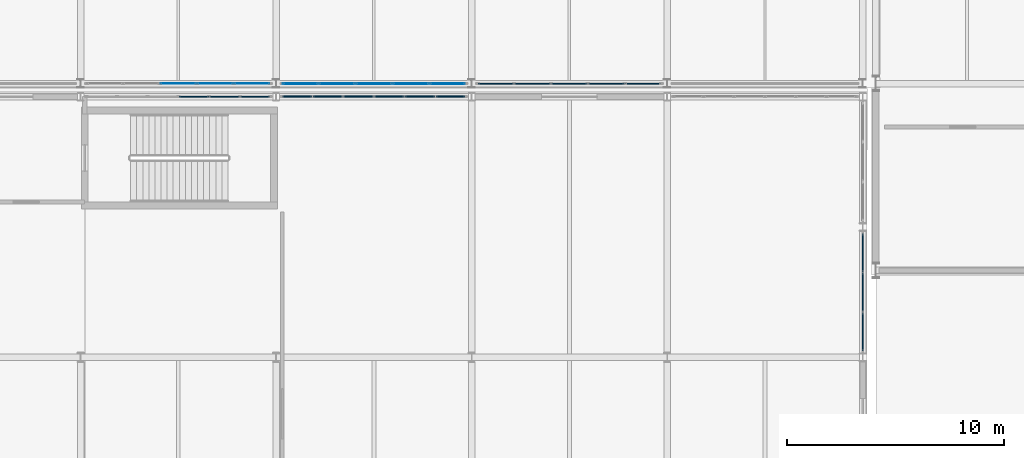
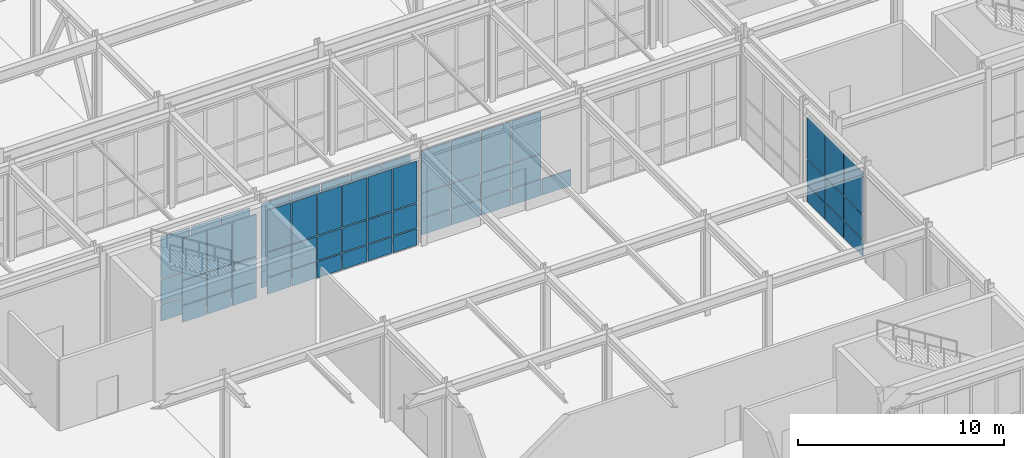
# One storey, part 104 of 146: 73 plates, 6 elements without a shape of their own.
"""IFC4 building model written with IfcOpenShell, lengths in metres."""

from ifc_helpers import new_model, si_unit, direction, frame, origin, origin_2d, place, context, subcontext, project, spatial, rectangle, extrude, material, type_object, element, aggregate, save


model = new_model("IFC4")

# Units and contexts
model_context = context("Model", 3, precision=1e-05, world=origin(), true_north=direction((0.0, 1.0)))
body_context = subcontext(model_context, "Body", "Model", "MODEL_VIEW")
ifc_project = project(units=[si_unit("LENGTHUNIT", "METRE"), si_unit("AREAUNIT", "SQUARE_METRE"), si_unit("VOLUMEUNIT", "CUBIC_METRE"), si_unit("PLANEANGLEUNIT", "RADIAN"), si_unit("MASSUNIT", "GRAM", prefix="KILO")], contexts=[model_context])

# Site, building, storey
site_placement = place(None, origin())
site = spatial("IfcSite", under=ifc_project, at=site_placement, CompositionType="ELEMENT")
building_placement = place(site_placement, origin())
building = spatial("IfcBuilding", under=site, at=building_placement, Name="Kaldris Quays Convention Centre", CompositionType="ELEMENT")
storey_placement = place(building_placement, origin())
storey = spatial("IfcBuildingStorey", under=building, at=storey_placement, Name="L00", CompositionType="ELEMENT", Elevation=0.0)

# Curtain wall, plates
ifc_material_1 = material(Name="Anodized aluminium AW-6060 and triple glazing", Category="aluminium")
curtain_wall_type_1 = type_object("IfcCurtainWallType", Name="UNITISED CURTAIN WALL CW02", PredefinedType="NOTDEFINED", material=ifc_material_1)
curtain_wall_1_placement = place(storey_placement, origin())
curtain_wall_1 = element("IfcCurtainWall", 1, at=curtain_wall_1_placement, inside=storey, type_object=curtain_wall_type_1, Name="L00 Unitised Curtain Wall CW02 82", PredefinedType="NOTDEFINED")
ifc_material_2 = material(Name="Triple low-E insulated glazing", Category="glass")
plate_type_1 = type_object("IfcPlateType", Name="CURTAIN GLAZING PANEL CWP2", PredefinedType="CURTAIN_PANEL", material=ifc_material_2)
plate_1_placement = place(storey_placement, frame((51.5, 46.60009765625, 0.06005859375), z_axis=(0.0, 0.0, 1.0), x_axis=(1.0, 0.0, 0.0)))
plate_1 = element("IfcPlate", 2, at=plate_1_placement, type_object=plate_type_1, Name="CW02 panel 3.1", PredefinedType="CURTAIN_PANEL", context=body_context, shape_type="SweptSolid", body=[
    extrude(rectangle(XDim=1.639892578125, YDim=0.033935546875, at=origin_2d()), origin(), (0.0, 0.0, 1.0), 0.9599609375),
])
plate_2_placement = place(storey_placement, frame((51.5, 46.60009765625, 1.080078125), z_axis=(0.0, 0.0, 1.0), x_axis=(1.0, 0.0, 0.0)))
plate_2 = element("IfcPlate", 3, at=plate_2_placement, type_object=plate_type_1, Name="CW02 panel 3.2", PredefinedType="CURTAIN_PANEL", context=body_context, shape_type="SweptSolid", body=[
    extrude(rectangle(XDim=1.639892578125, YDim=0.033935546875, at=origin_2d()), origin(), (0.0, 0.0, 1.0), 1.43994140625),
])
plate_3_placement = place(storey_placement, frame((51.5, 46.60009765625, 2.580078125), z_axis=(0.0, 0.0, 1.0), x_axis=(1.0, 0.0, 0.0)))
plate_3 = element("IfcPlate", 4, at=plate_3_placement, type_object=plate_type_1, Name="CW02 panel 3.3", PredefinedType="CURTAIN_PANEL", context=body_context, shape_type="SweptSolid", body=[
    extrude(rectangle(XDim=1.639892578125, YDim=0.033935546875, at=origin_2d()), origin(), (0.0, 0.0, 1.0), 2.4599609375),
])
plate_4_placement = place(storey_placement, frame((53.199951171875, 46.60009765625, 0.06005859375), z_axis=(0.0, 0.0, 1.0), x_axis=(1.0, 0.0, 0.0)))
plate_4 = element("IfcPlate", 5, at=plate_4_placement, type_object=plate_type_1, Name="CW02 panel 4.1", PredefinedType="CURTAIN_PANEL", context=body_context, shape_type="SweptSolid", body=[
    extrude(rectangle(XDim=1.639892578125, YDim=0.033935546875, at=origin_2d()), origin(), (0.0, 0.0, 1.0), 0.9599609375),
])
plate_5_placement = place(storey_placement, frame((53.199951171875, 46.60009765625, 1.080078125), z_axis=(0.0, 0.0, 1.0), x_axis=(1.0, 0.0, 0.0)))
plate_5 = element("IfcPlate", 6, at=plate_5_placement, type_object=plate_type_1, Name="CW02 panel 4.2", PredefinedType="CURTAIN_PANEL", context=body_context, shape_type="SweptSolid", body=[
    extrude(rectangle(XDim=1.639892578125, YDim=0.033935546875, at=origin_2d()), origin(), (0.0, 0.0, 1.0), 1.43994140625),
])
plate_6_placement = place(storey_placement, frame((53.199951171875, 46.60009765625, 2.580078125), z_axis=(0.0, 0.0, 1.0), x_axis=(1.0, 0.0, 0.0)))
plate_6 = element("IfcPlate", 7, at=plate_6_placement, type_object=plate_type_1, Name="CW02 panel 4.3", PredefinedType="CURTAIN_PANEL", context=body_context, shape_type="SweptSolid", body=[
    extrude(rectangle(XDim=1.639892578125, YDim=0.033935546875, at=origin_2d()), origin(), (0.0, 0.0, 1.0), 2.4599609375),
])
plate_7_placement = place(storey_placement, frame((54.885009765625, 46.60009765625, 0.06005859375), z_axis=(0.0, 0.0, 1.0), x_axis=(1.0, 0.0, 0.0)))
plate_7 = element("IfcPlate", 8, at=plate_7_placement, type_object=plate_type_1, Name="CW02 panel 5.1", PredefinedType="CURTAIN_PANEL", context=body_context, shape_type="SweptSolid", body=[
    extrude(rectangle(XDim=1.610107421875, YDim=0.033935546875, at=origin_2d()), origin(), (0.0, 0.0, 1.0), 0.9599609375),
])
plate_8_placement = place(storey_placement, frame((54.885009765625, 46.60009765625, 1.080078125), z_axis=(0.0, 0.0, 1.0), x_axis=(1.0, 0.0, 0.0)))
plate_8 = element("IfcPlate", 9, at=plate_8_placement, type_object=plate_type_1, Name="CW02 panel 5.2", PredefinedType="CURTAIN_PANEL", context=body_context, shape_type="SweptSolid", body=[
    extrude(rectangle(XDim=1.610107421875, YDim=0.033935546875, at=origin_2d()), origin(), (0.0, 0.0, 1.0), 1.43994140625),
])
plate_9_placement = place(storey_placement, frame((54.885009765625, 46.60009765625, 2.580078125), z_axis=(0.0, 0.0, 1.0), x_axis=(1.0, 0.0, 0.0)))
plate_9 = element("IfcPlate", 10, at=plate_9_placement, type_object=plate_type_1, Name="CW02 panel 5.3", PredefinedType="CURTAIN_PANEL", context=body_context, shape_type="SweptSolid", body=[
    extrude(rectangle(XDim=1.610107421875, YDim=0.033935546875, at=origin_2d()), origin(), (0.0, 0.0, 1.0), 2.4599609375),
])
aggregate(curtain_wall_1, [plate_1, plate_2, plate_3, plate_4, plate_5, plate_6, plate_7, plate_8, plate_9])

curtain_wall_2_placement = place(storey_placement, origin())
curtain_wall_2 = element("IfcCurtainWall", 11, at=curtain_wall_2_placement, inside=storey, type_object=curtain_wall_type_1, Name="L00 Unitised Curtain Wall CW02 84", PredefinedType="NOTDEFINED")
plate_type_2 = type_object("IfcPlateType", Name="CURTAIN GLAZING PANEL CWP4", PredefinedType="CURTAIN_PANEL", material=ifc_material_2)
plate_10_placement = place(storey_placement, frame((57.114990234375, 46.60009765625, 0.06005859375), z_axis=(0.0, 0.0, 1.0), x_axis=(1.0, 0.0, 0.0)))
plate_10 = element("IfcPlate", 12, at=plate_10_placement, type_object=plate_type_2, Name="CW02 panel 1.1", PredefinedType="CURTAIN_PANEL", context=body_context, shape_type="SweptSolid", body=[
    extrude(rectangle(XDim=1.610107421875, YDim=0.0439453125, at=origin_2d()), origin(), (0.0, 0.0, 1.0), 0.9599609375),
])
plate_11_placement = place(storey_placement, frame((57.114990234375, 46.60009765625, 1.080078125), z_axis=(0.0, 0.0, 1.0), x_axis=(1.0, 0.0, 0.0)))
plate_11 = element("IfcPlate", 13, at=plate_11_placement, type_object=plate_type_2, Name="CW02 panel 1.2", PredefinedType="CURTAIN_PANEL", context=body_context, shape_type="SweptSolid", body=[
    extrude(rectangle(XDim=1.610107421875, YDim=0.0439453125, at=origin_2d()), origin(), (0.0, 0.0, 1.0), 1.43994140625),
])
plate_12_placement = place(storey_placement, frame((57.114990234375, 46.60009765625, 2.580078125), z_axis=(0.0, 0.0, 1.0), x_axis=(1.0, 0.0, 0.0)))
plate_12 = element("IfcPlate", 14, at=plate_12_placement, type_object=plate_type_2, Name="CW02 panel 1.3", PredefinedType="CURTAIN_PANEL", context=body_context, shape_type="SweptSolid", body=[
    extrude(rectangle(XDim=1.610107421875, YDim=0.0439453125, at=origin_2d()), origin(), (0.0, 0.0, 1.0), 2.4599609375),
])
plate_13_placement = place(storey_placement, frame((58.800048828125, 46.60009765625, 0.06005859375), z_axis=(0.0, 0.0, 1.0), x_axis=(1.0, 0.0, 0.0)))
plate_13 = element("IfcPlate", 15, at=plate_13_placement, type_object=plate_type_2, Name="CW02 panel 2.1", PredefinedType="CURTAIN_PANEL", context=body_context, shape_type="SweptSolid", body=[
    extrude(rectangle(XDim=1.639892578125, YDim=0.0439453125, at=origin_2d()), origin(), (0.0, 0.0, 1.0), 0.9599609375),
])
plate_14_placement = place(storey_placement, frame((58.800048828125, 46.60009765625, 1.080078125), z_axis=(0.0, 0.0, 1.0), x_axis=(1.0, 0.0, 0.0)))
plate_14 = element("IfcPlate", 16, at=plate_14_placement, type_object=plate_type_2, Name="CW02 panel 2.2", PredefinedType="CURTAIN_PANEL", context=body_context, shape_type="SweptSolid", body=[
    extrude(rectangle(XDim=1.639892578125, YDim=0.0439453125, at=origin_2d()), origin(), (0.0, 0.0, 1.0), 1.43994140625),
])
plate_15_placement = place(storey_placement, frame((58.800048828125, 46.60009765625, 2.580078125), z_axis=(0.0, 0.0, 1.0), x_axis=(1.0, 0.0, 0.0)))
plate_15 = element("IfcPlate", 17, at=plate_15_placement, type_object=plate_type_2, Name="CW02 panel 2.3", PredefinedType="CURTAIN_PANEL", context=body_context, shape_type="SweptSolid", body=[
    extrude(rectangle(XDim=1.639892578125, YDim=0.0439453125, at=origin_2d()), origin(), (0.0, 0.0, 1.0), 2.4599609375),
])
plate_16_placement = place(storey_placement, frame((60.5, 46.60009765625, 0.06005859375), z_axis=(0.0, 0.0, 1.0), x_axis=(1.0, 0.0, 0.0)))
plate_16 = element("IfcPlate", 18, at=plate_16_placement, type_object=plate_type_2, Name="CW02 panel 3.1", PredefinedType="CURTAIN_PANEL", context=body_context, shape_type="SweptSolid", body=[
    extrude(rectangle(XDim=1.639892578125, YDim=0.0439453125, at=origin_2d()), origin(), (0.0, 0.0, 1.0), 0.9599609375),
])
plate_17_placement = place(storey_placement, frame((60.5, 46.60009765625, 1.080078125), z_axis=(0.0, 0.0, 1.0), x_axis=(1.0, 0.0, 0.0)))
plate_17 = element("IfcPlate", 19, at=plate_17_placement, type_object=plate_type_2, Name="CW02 panel 3.2", PredefinedType="CURTAIN_PANEL", context=body_context, shape_type="SweptSolid", body=[
    extrude(rectangle(XDim=1.639892578125, YDim=0.0439453125, at=origin_2d()), origin(), (0.0, 0.0, 1.0), 1.43994140625),
])
plate_18_placement = place(storey_placement, frame((60.5, 46.60009765625, 2.580078125), z_axis=(0.0, 0.0, 1.0), x_axis=(1.0, 0.0, 0.0)))
plate_18 = element("IfcPlate", 20, at=plate_18_placement, type_object=plate_type_2, Name="CW02 panel 3.3", PredefinedType="CURTAIN_PANEL", context=body_context, shape_type="SweptSolid", body=[
    extrude(rectangle(XDim=1.639892578125, YDim=0.0439453125, at=origin_2d()), origin(), (0.0, 0.0, 1.0), 2.4599609375),
])
plate_19_placement = place(storey_placement, frame((62.199951171875, 46.60009765625, 0.06005859375), z_axis=(0.0, 0.0, 1.0), x_axis=(1.0, 0.0, 0.0)))
plate_19 = element("IfcPlate", 21, at=plate_19_placement, type_object=plate_type_2, Name="CW02 panel 4.1", PredefinedType="CURTAIN_PANEL", context=body_context, shape_type="SweptSolid", body=[
    extrude(rectangle(XDim=1.639892578125, YDim=0.0439453125, at=origin_2d()), origin(), (0.0, 0.0, 1.0), 0.9599609375),
])
plate_20_placement = place(storey_placement, frame((62.199951171875, 46.60009765625, 1.080078125), z_axis=(0.0, 0.0, 1.0), x_axis=(1.0, 0.0, 0.0)))
plate_20 = element("IfcPlate", 22, at=plate_20_placement, type_object=plate_type_2, Name="CW02 panel 4.2", PredefinedType="CURTAIN_PANEL", context=body_context, shape_type="SweptSolid", body=[
    extrude(rectangle(XDim=1.639892578125, YDim=0.0439453125, at=origin_2d()), origin(), (0.0, 0.0, 1.0), 1.43994140625),
])
plate_21_placement = place(storey_placement, frame((62.199951171875, 46.60009765625, 2.580078125), z_axis=(0.0, 0.0, 1.0), x_axis=(1.0, 0.0, 0.0)))
plate_21 = element("IfcPlate", 23, at=plate_21_placement, type_object=plate_type_2, Name="CW02 panel 4.3", PredefinedType="CURTAIN_PANEL", context=body_context, shape_type="SweptSolid", body=[
    extrude(rectangle(XDim=1.639892578125, YDim=0.0439453125, at=origin_2d()), origin(), (0.0, 0.0, 1.0), 2.4599609375),
])
plate_22_placement = place(storey_placement, frame((63.885009765625, 46.60009765625, 0.06005859375), z_axis=(0.0, 0.0, 1.0), x_axis=(1.0, 0.0, 0.0)))
plate_22 = element("IfcPlate", 24, at=plate_22_placement, type_object=plate_type_2, Name="CW02 panel 5.1", PredefinedType="CURTAIN_PANEL", context=body_context, shape_type="SweptSolid", body=[
    extrude(rectangle(XDim=1.610107421875, YDim=0.0439453125, at=origin_2d()), origin(), (0.0, 0.0, 1.0), 0.9599609375),
])
plate_23_placement = place(storey_placement, frame((63.885009765625, 46.60009765625, 1.080078125), z_axis=(0.0, 0.0, 1.0), x_axis=(1.0, 0.0, 0.0)))
plate_23 = element("IfcPlate", 25, at=plate_23_placement, type_object=plate_type_2, Name="CW02 panel 5.2", PredefinedType="CURTAIN_PANEL", context=body_context, shape_type="SweptSolid", body=[
    extrude(rectangle(XDim=1.610107421875, YDim=0.0439453125, at=origin_2d()), origin(), (0.0, 0.0, 1.0), 1.43994140625),
])
plate_24_placement = place(storey_placement, frame((63.885009765625, 46.60009765625, 2.580078125), z_axis=(0.0, 0.0, 1.0), x_axis=(1.0, 0.0, 0.0)))
plate_24 = element("IfcPlate", 26, at=plate_24_placement, type_object=plate_type_2, Name="CW02 panel 5.3", PredefinedType="CURTAIN_PANEL", context=body_context, shape_type="SweptSolid", body=[
    extrude(rectangle(XDim=1.610107421875, YDim=0.0439453125, at=origin_2d()), origin(), (0.0, 0.0, 1.0), 2.4599609375),
])
aggregate(curtain_wall_2, [plate_10, plate_11, plate_12, plate_13, plate_14, plate_15, plate_16, plate_17, plate_18, plate_19, plate_20, plate_21, plate_22, plate_23, plate_24])

curtain_wall_type_2 = type_object("IfcCurtainWallType", Name="UNITISED CURTAIN WALL CW01", PredefinedType="NOTDEFINED", material=ifc_material_1)
curtain_wall_3_placement = place(storey_placement, origin())
curtain_wall_3 = element("IfcCurtainWall", 27, at=curtain_wall_3_placement, inside=storey, type_object=curtain_wall_type_2, Name="L00 Unitised Curtain Wall CW01 46", PredefinedType="NOTDEFINED")
plate_type_3 = type_object("IfcPlateType", Name="CURTAIN GLAZING PANEL CWP6", PredefinedType="CURTAIN_PANEL", material=ifc_material_2)
plate_25_placement = place(storey_placement, frame((52.208251953125, 46.0, 0.06005859375), z_axis=(0.0, 0.0, 1.0), x_axis=(1.0, 0.0, 0.0)))
plate_25 = element("IfcPlate", 28, at=plate_25_placement, type_object=plate_type_3, Name="CW01 panel 4.1", PredefinedType="CURTAIN_PANEL", context=body_context, shape_type="SweptSolid", body=[
    extrude(rectangle(XDim=1.356689453125, YDim=0.053955078125, at=origin_2d()), origin(), (0.0, 0.0, 1.0), 0.9599609375),
])
plate_26_placement = place(storey_placement, frame((52.208251953125, 46.0, 1.080078125), z_axis=(0.0, 0.0, 1.0), x_axis=(1.0, 0.0, 0.0)))
plate_26 = element("IfcPlate", 29, at=plate_26_placement, type_object=plate_type_3, Name="CW01 panel 4.2", PredefinedType="CURTAIN_PANEL", context=body_context, shape_type="SweptSolid", body=[
    extrude(rectangle(XDim=1.356689453125, YDim=0.053955078125, at=origin_2d()), origin(), (0.0, 0.0, 1.0), 1.43896484375),
])
plate_27_placement = place(storey_placement, frame((52.208251953125, 46.0, 2.5791015625), z_axis=(0.0, 0.0, 1.0), x_axis=(1.0, 0.0, 0.0)))
plate_27 = element("IfcPlate", 30, at=plate_27_placement, type_object=plate_type_3, Name="CW01 panel 4.3", PredefinedType="CURTAIN_PANEL", context=body_context, shape_type="SweptSolid", body=[
    extrude(rectangle(XDim=1.356689453125, YDim=0.053955078125, at=origin_2d()), origin(), (0.0, 0.0, 1.0), 2.458984375),
])
plate_28_placement = place(storey_placement, frame((53.625, 46.0, 0.06005859375), z_axis=(0.0, 0.0, 1.0), x_axis=(1.0, 0.0, 0.0)))
plate_28 = element("IfcPlate", 31, at=plate_28_placement, type_object=plate_type_3, Name="CW01 panel 5.1", PredefinedType="CURTAIN_PANEL", context=body_context, shape_type="SweptSolid", body=[
    extrude(rectangle(XDim=1.356689453125, YDim=0.053955078125, at=origin_2d()), origin(), (0.0, 0.0, 1.0), 0.9599609375),
])
plate_29_placement = place(storey_placement, frame((53.625, 46.0, 1.080078125), z_axis=(0.0, 0.0, 1.0), x_axis=(1.0, 0.0, 0.0)))
plate_29 = element("IfcPlate", 32, at=plate_29_placement, type_object=plate_type_3, Name="CW01 panel 5.2", PredefinedType="CURTAIN_PANEL", context=body_context, shape_type="SweptSolid", body=[
    extrude(rectangle(XDim=1.356689453125, YDim=0.053955078125, at=origin_2d()), origin(), (0.0, 0.0, 1.0), 1.43896484375),
])
plate_30_placement = place(storey_placement, frame((53.625, 46.0, 2.5791015625), z_axis=(0.0, 0.0, 1.0), x_axis=(1.0, 0.0, 0.0)))
plate_30 = element("IfcPlate", 33, at=plate_30_placement, type_object=plate_type_3, Name="CW01 panel 5.3", PredefinedType="CURTAIN_PANEL", context=body_context, shape_type="SweptSolid", body=[
    extrude(rectangle(XDim=1.356689453125, YDim=0.053955078125, at=origin_2d()), origin(), (0.0, 0.0, 1.0), 2.458984375),
])
plate_31_placement = place(storey_placement, frame((55.026611328125, 46.0, 0.06005859375), z_axis=(0.0, 0.0, 1.0), x_axis=(1.0, 0.0, 0.0)))
plate_31 = element("IfcPlate", 34, at=plate_31_placement, type_object=plate_type_3, Name="CW01 panel 6.1", PredefinedType="CURTAIN_PANEL", context=body_context, shape_type="SweptSolid", body=[
    extrude(rectangle(XDim=1.32666015625, YDim=0.053955078125, at=origin_2d()), origin(), (0.0, 0.0, 1.0), 0.9599609375),
])
plate_32_placement = place(storey_placement, frame((55.026611328125, 46.0, 1.080078125), z_axis=(0.0, 0.0, 1.0), x_axis=(1.0, 0.0, 0.0)))
plate_32 = element("IfcPlate", 35, at=plate_32_placement, type_object=plate_type_3, Name="CW01 panel 6.2", PredefinedType="CURTAIN_PANEL", context=body_context, shape_type="SweptSolid", body=[
    extrude(rectangle(XDim=1.32666015625, YDim=0.053955078125, at=origin_2d()), origin(), (0.0, 0.0, 1.0), 1.43896484375),
])
plate_33_placement = place(storey_placement, frame((55.026611328125, 46.0, 2.5791015625), z_axis=(0.0, 0.0, 1.0), x_axis=(1.0, 0.0, 0.0)))
plate_33 = element("IfcPlate", 36, at=plate_33_placement, type_object=plate_type_3, Name="CW01 panel 6.3", PredefinedType="CURTAIN_PANEL", context=body_context, shape_type="SweptSolid", body=[
    extrude(rectangle(XDim=1.32666015625, YDim=0.053955078125, at=origin_2d()), origin(), (0.0, 0.0, 1.0), 2.458984375),
])
aggregate(curtain_wall_3, [plate_25, plate_26, plate_27, plate_28, plate_29, plate_30, plate_31, plate_32, plate_33])

curtain_wall_4_placement = place(storey_placement, origin())
curtain_wall_4 = element("IfcCurtainWall", 37, at=curtain_wall_4_placement, inside=storey, type_object=curtain_wall_type_1, Name="L00 Unitised Curtain Wall CW02 86", PredefinedType="NOTDEFINED")
plate_34_placement = place(storey_placement, frame((66.114990234375, 46.60009765625, 0.06005859375), z_axis=(0.0, 0.0, 1.0), x_axis=(1.0, 0.0, 0.0)))
plate_34 = element("IfcPlate", 38, at=plate_34_placement, type_object=plate_type_3, Name="CW02 panel 1.1", PredefinedType="CURTAIN_PANEL", context=body_context, shape_type="SweptSolid", body=[
    extrude(rectangle(XDim=1.610107421875, YDim=0.053955078125, at=origin_2d()), origin(), (0.0, 0.0, 1.0), 0.9599609375),
])
plate_35_placement = place(storey_placement, frame((66.114990234375, 46.60009765625, 1.080078125), z_axis=(0.0, 0.0, 1.0), x_axis=(1.0, 0.0, 0.0)))
plate_35 = element("IfcPlate", 39, at=plate_35_placement, type_object=plate_type_3, Name="CW02 panel 1.2", PredefinedType="CURTAIN_PANEL", context=body_context, shape_type="SweptSolid", body=[
    extrude(rectangle(XDim=1.610107421875, YDim=0.053955078125, at=origin_2d()), origin(), (0.0, 0.0, 1.0), 1.43994140625),
])
plate_36_placement = place(storey_placement, frame((66.114990234375, 46.60009765625, 2.580078125), z_axis=(0.0, 0.0, 1.0), x_axis=(1.0, 0.0, 0.0)))
plate_36 = element("IfcPlate", 40, at=plate_36_placement, type_object=plate_type_3, Name="CW02 panel 1.3", PredefinedType="CURTAIN_PANEL", context=body_context, shape_type="SweptSolid", body=[
    extrude(rectangle(XDim=1.610107421875, YDim=0.053955078125, at=origin_2d()), origin(), (0.0, 0.0, 1.0), 2.4599609375),
])
plate_37_placement = place(storey_placement, frame((67.800048828125, 46.60009765625, 0.06005859375), z_axis=(0.0, 0.0, 1.0), x_axis=(1.0, 0.0, 0.0)))
plate_37 = element("IfcPlate", 41, at=plate_37_placement, type_object=plate_type_3, Name="CW02 panel 2.1", PredefinedType="CURTAIN_PANEL", context=body_context, shape_type="SweptSolid", body=[
    extrude(rectangle(XDim=1.639892578125, YDim=0.053955078125, at=origin_2d()), origin(), (0.0, 0.0, 1.0), 0.9599609375),
])
plate_38_placement = place(storey_placement, frame((67.800048828125, 46.60009765625, 1.080078125), z_axis=(0.0, 0.0, 1.0), x_axis=(1.0, 0.0, 0.0)))
plate_38 = element("IfcPlate", 42, at=plate_38_placement, type_object=plate_type_3, Name="CW02 panel 2.2", PredefinedType="CURTAIN_PANEL", context=body_context, shape_type="SweptSolid", body=[
    extrude(rectangle(XDim=1.639892578125, YDim=0.053955078125, at=origin_2d()), origin(), (0.0, 0.0, 1.0), 1.43994140625),
])
plate_39_placement = place(storey_placement, frame((67.800048828125, 46.60009765625, 2.580078125), z_axis=(0.0, 0.0, 1.0), x_axis=(1.0, 0.0, 0.0)))
plate_39 = element("IfcPlate", 43, at=plate_39_placement, type_object=plate_type_3, Name="CW02 panel 2.3", PredefinedType="CURTAIN_PANEL", context=body_context, shape_type="SweptSolid", body=[
    extrude(rectangle(XDim=1.639892578125, YDim=0.053955078125, at=origin_2d()), origin(), (0.0, 0.0, 1.0), 2.4599609375),
])
plate_40_placement = place(storey_placement, frame((69.5, 46.60009765625, 0.06005859375), z_axis=(0.0, 0.0, 1.0), x_axis=(1.0, 0.0, 0.0)))
plate_40 = element("IfcPlate", 44, at=plate_40_placement, type_object=plate_type_3, Name="CW02 panel 3.1", PredefinedType="CURTAIN_PANEL", context=body_context, shape_type="SweptSolid", body=[
    extrude(rectangle(XDim=1.639892578125, YDim=0.053955078125, at=origin_2d()), origin(), (0.0, 0.0, 1.0), 0.9599609375),
])
plate_41_placement = place(storey_placement, frame((69.5, 46.60009765625, 1.080078125), z_axis=(0.0, 0.0, 1.0), x_axis=(1.0, 0.0, 0.0)))
plate_41 = element("IfcPlate", 45, at=plate_41_placement, type_object=plate_type_3, Name="CW02 panel 3.2", PredefinedType="CURTAIN_PANEL", context=body_context, shape_type="SweptSolid", body=[
    extrude(rectangle(XDim=1.639892578125, YDim=0.053955078125, at=origin_2d()), origin(), (0.0, 0.0, 1.0), 1.43994140625),
])
plate_42_placement = place(storey_placement, frame((69.5, 46.60009765625, 2.580078125), z_axis=(0.0, 0.0, 1.0), x_axis=(1.0, 0.0, 0.0)))
plate_42 = element("IfcPlate", 46, at=plate_42_placement, type_object=plate_type_3, Name="CW02 panel 3.3", PredefinedType="CURTAIN_PANEL", context=body_context, shape_type="SweptSolid", body=[
    extrude(rectangle(XDim=1.639892578125, YDim=0.053955078125, at=origin_2d()), origin(), (0.0, 0.0, 1.0), 2.4599609375),
])
plate_43_placement = place(storey_placement, frame((71.199951171875, 46.60009765625, 0.06005859375), z_axis=(0.0, 0.0, 1.0), x_axis=(1.0, 0.0, 0.0)))
plate_43 = element("IfcPlate", 47, at=plate_43_placement, type_object=plate_type_3, Name="CW02 panel 4.1", PredefinedType="CURTAIN_PANEL", context=body_context, shape_type="SweptSolid", body=[
    extrude(rectangle(XDim=1.639892578125, YDim=0.053955078125, at=origin_2d()), origin(), (0.0, 0.0, 1.0), 0.9599609375),
])
plate_44_placement = place(storey_placement, frame((71.199951171875, 46.60009765625, 1.080078125), z_axis=(0.0, 0.0, 1.0), x_axis=(1.0, 0.0, 0.0)))
plate_44 = element("IfcPlate", 48, at=plate_44_placement, type_object=plate_type_3, Name="CW02 panel 4.2", PredefinedType="CURTAIN_PANEL", context=body_context, shape_type="SweptSolid", body=[
    extrude(rectangle(XDim=1.639892578125, YDim=0.053955078125, at=origin_2d()), origin(), (0.0, 0.0, 1.0), 1.43994140625),
])
plate_45_placement = place(storey_placement, frame((71.199951171875, 46.60009765625, 2.580078125), z_axis=(0.0, 0.0, 1.0), x_axis=(1.0, 0.0, 0.0)))
plate_45 = element("IfcPlate", 49, at=plate_45_placement, type_object=plate_type_3, Name="CW02 panel 4.3", PredefinedType="CURTAIN_PANEL", context=body_context, shape_type="SweptSolid", body=[
    extrude(rectangle(XDim=1.639892578125, YDim=0.053955078125, at=origin_2d()), origin(), (0.0, 0.0, 1.0), 2.4599609375),
])
plate_46_placement = place(storey_placement, frame((72.885009765625, 46.60009765625, 0.06005859375), z_axis=(0.0, 0.0, 1.0), x_axis=(1.0, 0.0, 0.0)))
plate_46 = element("IfcPlate", 50, at=plate_46_placement, type_object=plate_type_3, Name="CW02 panel 5.1", PredefinedType="CURTAIN_PANEL", context=body_context, shape_type="SweptSolid", body=[
    extrude(rectangle(XDim=1.610107421875, YDim=0.053955078125, at=origin_2d()), origin(), (0.0, 0.0, 1.0), 0.9599609375),
])
aggregate(curtain_wall_4, [plate_34, plate_35, plate_36, plate_37, plate_38, plate_39, plate_40, plate_41, plate_42, plate_43, plate_44, plate_45, plate_46])

curtain_wall_5_placement = place(storey_placement, origin())
curtain_wall_5 = element("IfcCurtainWall", 51, at=curtain_wall_5_placement, inside=storey, type_object=curtain_wall_type_2, Name="L00 Unitised Curtain Wall CW01 48", PredefinedType="NOTDEFINED")
plate_type_4 = type_object("IfcPlateType", Name="CURTAIN GLAZING PANEL CWP8", PredefinedType="CURTAIN_PANEL", material=ifc_material_2)
plate_47_placement = place(storey_placement, frame((56.973388671875, 46.0, 0.06005859375), z_axis=(0.0, 0.0, 1.0), x_axis=(1.0, 0.0, 0.0)))
plate_47 = element("IfcPlate", 52, at=plate_47_placement, type_object=plate_type_4, Name="CW01 panel 1.1", PredefinedType="CURTAIN_PANEL", context=body_context, shape_type="SweptSolid", body=[
    extrude(rectangle(XDim=1.32666015625, YDim=0.06396484375, at=origin_2d()), origin(), (0.0, 0.0, 1.0), 0.9599609375),
])
plate_48_placement = place(storey_placement, frame((56.973388671875, 46.0, 1.080078125), z_axis=(0.0, 0.0, 1.0), x_axis=(1.0, 0.0, 0.0)))
plate_48 = element("IfcPlate", 53, at=plate_48_placement, type_object=plate_type_4, Name="CW01 panel 1.2", PredefinedType="CURTAIN_PANEL", context=body_context, shape_type="SweptSolid", body=[
    extrude(rectangle(XDim=1.32666015625, YDim=0.06396484375, at=origin_2d()), origin(), (0.0, 0.0, 1.0), 1.43896484375),
])
plate_49_placement = place(storey_placement, frame((56.973388671875, 46.0, 2.5791015625), z_axis=(0.0, 0.0, 1.0), x_axis=(1.0, 0.0, 0.0)))
plate_49 = element("IfcPlate", 54, at=plate_49_placement, type_object=plate_type_4, Name="CW01 panel 1.3", PredefinedType="CURTAIN_PANEL", context=body_context, shape_type="SweptSolid", body=[
    extrude(rectangle(XDim=1.32666015625, YDim=0.06396484375, at=origin_2d()), origin(), (0.0, 0.0, 1.0), 2.458984375),
])
plate_50_placement = place(storey_placement, frame((58.375, 46.0, 0.06005859375), z_axis=(0.0, 0.0, 1.0), x_axis=(1.0, 0.0, 0.0)))
plate_50 = element("IfcPlate", 55, at=plate_50_placement, type_object=plate_type_4, Name="CW01 panel 2.1", PredefinedType="CURTAIN_PANEL", context=body_context, shape_type="SweptSolid", body=[
    extrude(rectangle(XDim=1.356689453125, YDim=0.06396484375, at=origin_2d()), origin(), (0.0, 0.0, 1.0), 0.9599609375),
])
plate_51_placement = place(storey_placement, frame((58.375, 46.0, 1.080078125), z_axis=(0.0, 0.0, 1.0), x_axis=(1.0, 0.0, 0.0)))
plate_51 = element("IfcPlate", 56, at=plate_51_placement, type_object=plate_type_4, Name="CW01 panel 2.2", PredefinedType="CURTAIN_PANEL", context=body_context, shape_type="SweptSolid", body=[
    extrude(rectangle(XDim=1.356689453125, YDim=0.06396484375, at=origin_2d()), origin(), (0.0, 0.0, 1.0), 1.43896484375),
])
plate_52_placement = place(storey_placement, frame((58.375, 46.0, 2.5791015625), z_axis=(0.0, 0.0, 1.0), x_axis=(1.0, 0.0, 0.0)))
plate_52 = element("IfcPlate", 57, at=plate_52_placement, type_object=plate_type_4, Name="CW01 panel 2.3", PredefinedType="CURTAIN_PANEL", context=body_context, shape_type="SweptSolid", body=[
    extrude(rectangle(XDim=1.356689453125, YDim=0.06396484375, at=origin_2d()), origin(), (0.0, 0.0, 1.0), 2.458984375),
])
plate_53_placement = place(storey_placement, frame((59.791748046875, 46.0, 0.06005859375), z_axis=(0.0, 0.0, 1.0), x_axis=(1.0, 0.0, 0.0)))
plate_53 = element("IfcPlate", 58, at=plate_53_placement, type_object=plate_type_4, Name="CW01 panel 3.1", PredefinedType="CURTAIN_PANEL", context=body_context, shape_type="SweptSolid", body=[
    extrude(rectangle(XDim=1.356689453125, YDim=0.06396484375, at=origin_2d()), origin(), (0.0, 0.0, 1.0), 0.9599609375),
])
plate_54_placement = place(storey_placement, frame((59.791748046875, 46.0, 1.080078125), z_axis=(0.0, 0.0, 1.0), x_axis=(1.0, 0.0, 0.0)))
plate_54 = element("IfcPlate", 59, at=plate_54_placement, type_object=plate_type_4, Name="CW01 panel 3.2", PredefinedType="CURTAIN_PANEL", context=body_context, shape_type="SweptSolid", body=[
    extrude(rectangle(XDim=1.356689453125, YDim=0.06396484375, at=origin_2d()), origin(), (0.0, 0.0, 1.0), 1.43896484375),
])
plate_55_placement = place(storey_placement, frame((59.791748046875, 46.0, 2.5791015625), z_axis=(0.0, 0.0, 1.0), x_axis=(1.0, 0.0, 0.0)))
plate_55 = element("IfcPlate", 60, at=plate_55_placement, type_object=plate_type_4, Name="CW01 panel 3.3", PredefinedType="CURTAIN_PANEL", context=body_context, shape_type="SweptSolid", body=[
    extrude(rectangle(XDim=1.356689453125, YDim=0.06396484375, at=origin_2d()), origin(), (0.0, 0.0, 1.0), 2.458984375),
])
plate_56_placement = place(storey_placement, frame((61.208251953125, 46.0, 0.06005859375), z_axis=(0.0, 0.0, 1.0), x_axis=(1.0, 0.0, 0.0)))
plate_56 = element("IfcPlate", 61, at=plate_56_placement, type_object=plate_type_4, Name="CW01 panel 4.1", PredefinedType="CURTAIN_PANEL", context=body_context, shape_type="SweptSolid", body=[
    extrude(rectangle(XDim=1.356689453125, YDim=0.06396484375, at=origin_2d()), origin(), (0.0, 0.0, 1.0), 0.9599609375),
])
plate_57_placement = place(storey_placement, frame((61.208251953125, 46.0, 1.080078125), z_axis=(0.0, 0.0, 1.0), x_axis=(1.0, 0.0, 0.0)))
plate_57 = element("IfcPlate", 62, at=plate_57_placement, type_object=plate_type_4, Name="CW01 panel 4.2", PredefinedType="CURTAIN_PANEL", context=body_context, shape_type="SweptSolid", body=[
    extrude(rectangle(XDim=1.356689453125, YDim=0.06396484375, at=origin_2d()), origin(), (0.0, 0.0, 1.0), 1.43896484375),
])
plate_58_placement = place(storey_placement, frame((61.208251953125, 46.0, 2.5791015625), z_axis=(0.0, 0.0, 1.0), x_axis=(1.0, 0.0, 0.0)))
plate_58 = element("IfcPlate", 63, at=plate_58_placement, type_object=plate_type_4, Name="CW01 panel 4.3", PredefinedType="CURTAIN_PANEL", context=body_context, shape_type="SweptSolid", body=[
    extrude(rectangle(XDim=1.356689453125, YDim=0.06396484375, at=origin_2d()), origin(), (0.0, 0.0, 1.0), 2.458984375),
])
plate_59_placement = place(storey_placement, frame((62.625, 46.0, 0.06005859375), z_axis=(0.0, 0.0, 1.0), x_axis=(1.0, 0.0, 0.0)))
plate_59 = element("IfcPlate", 64, at=plate_59_placement, type_object=plate_type_4, Name="CW01 panel 5.1", PredefinedType="CURTAIN_PANEL", context=body_context, shape_type="SweptSolid", body=[
    extrude(rectangle(XDim=1.356689453125, YDim=0.06396484375, at=origin_2d()), origin(), (0.0, 0.0, 1.0), 0.9599609375),
])
plate_60_placement = place(storey_placement, frame((62.625, 46.0, 1.080078125), z_axis=(0.0, 0.0, 1.0), x_axis=(1.0, 0.0, 0.0)))
plate_60 = element("IfcPlate", 65, at=plate_60_placement, type_object=plate_type_4, Name="CW01 panel 5.2", PredefinedType="CURTAIN_PANEL", context=body_context, shape_type="SweptSolid", body=[
    extrude(rectangle(XDim=1.356689453125, YDim=0.06396484375, at=origin_2d()), origin(), (0.0, 0.0, 1.0), 1.43896484375),
])
plate_61_placement = place(storey_placement, frame((62.625, 46.0, 2.5791015625), z_axis=(0.0, 0.0, 1.0), x_axis=(1.0, 0.0, 0.0)))
plate_61 = element("IfcPlate", 66, at=plate_61_placement, type_object=plate_type_4, Name="CW01 panel 5.3", PredefinedType="CURTAIN_PANEL", context=body_context, shape_type="SweptSolid", body=[
    extrude(rectangle(XDim=1.356689453125, YDim=0.06396484375, at=origin_2d()), origin(), (0.0, 0.0, 1.0), 2.458984375),
])
plate_62_placement = place(storey_placement, frame((64.026611328125, 46.0, 0.06005859375), z_axis=(0.0, 0.0, 1.0), x_axis=(1.0, 0.0, 0.0)))
plate_62 = element("IfcPlate", 67, at=plate_62_placement, type_object=plate_type_4, Name="CW01 panel 6.1", PredefinedType="CURTAIN_PANEL", context=body_context, shape_type="SweptSolid", body=[
    extrude(rectangle(XDim=1.32666015625, YDim=0.06396484375, at=origin_2d()), origin(), (0.0, 0.0, 1.0), 0.9599609375),
])
plate_63_placement = place(storey_placement, frame((64.026611328125, 46.0, 1.080078125), z_axis=(0.0, 0.0, 1.0), x_axis=(1.0, 0.0, 0.0)))
plate_63 = element("IfcPlate", 68, at=plate_63_placement, type_object=plate_type_4, Name="CW01 panel 6.2", PredefinedType="CURTAIN_PANEL", context=body_context, shape_type="SweptSolid", body=[
    extrude(rectangle(XDim=1.32666015625, YDim=0.06396484375, at=origin_2d()), origin(), (0.0, 0.0, 1.0), 1.43896484375),
])
plate_64_placement = place(storey_placement, frame((64.026611328125, 46.0, 2.5791015625), z_axis=(0.0, 0.0, 1.0), x_axis=(1.0, 0.0, 0.0)))
plate_64 = element("IfcPlate", 69, at=plate_64_placement, type_object=plate_type_4, Name="CW01 panel 6.3", PredefinedType="CURTAIN_PANEL", context=body_context, shape_type="SweptSolid", body=[
    extrude(rectangle(XDim=1.32666015625, YDim=0.06396484375, at=origin_2d()), origin(), (0.0, 0.0, 1.0), 2.458984375),
])
aggregate(curtain_wall_5, [plate_47, plate_48, plate_49, plate_50, plate_51, plate_52, plate_53, plate_54, plate_55, plate_56, plate_57, plate_58, plate_59, plate_60, plate_61, plate_62, plate_63, plate_64])

curtain_wall_type_3 = type_object("IfcCurtainWallType", Name="UNITISED CURTAIN WALL CW05", PredefinedType="NOTDEFINED", material=ifc_material_1)
curtain_wall_6_placement = place(storey_placement, origin())
curtain_wall_6 = element("IfcCurtainWall", 70, at=curtain_wall_6_placement, inside=storey, type_object=curtain_wall_type_3, Name="L00 Unitised Curtain Wall CW05 56", PredefinedType="NOTDEFINED")
plate_65_placement = place(storey_placement, frame((83.0, 35.181640625, 0.06005859375), z_axis=(0.0, 0.0, 1.0), x_axis=(0.0, 1.0, 0.0)))
plate_65 = element("IfcPlate", 71, at=plate_65_placement, type_object=plate_type_4, Name="CW05 panel 1.1", PredefinedType="CURTAIN_PANEL", context=body_context, shape_type="SweptSolid", body=[
    extrude(rectangle(XDim=1.743408203125, YDim=0.06396484375, at=origin_2d()), origin(), (0.0, 0.0, 1.0), 0.9599609375),
])
plate_66_placement = place(storey_placement, frame((83.0, 35.181640625, 1.080078125), z_axis=(0.0, 0.0, 1.0), x_axis=(0.0, 1.0, 0.0)))
plate_66 = element("IfcPlate", 72, at=plate_66_placement, type_object=plate_type_4, Name="CW05 panel 1.2", PredefinedType="CURTAIN_PANEL", context=body_context, shape_type="SweptSolid", body=[
    extrude(rectangle(XDim=1.743408203125, YDim=0.06396484375, at=origin_2d()), origin(), (0.0, 0.0, 1.0), 1.43896484375),
])
plate_67_placement = place(storey_placement, frame((83.0, 35.181640625, 2.5791015625), z_axis=(0.0, 0.0, 1.0), x_axis=(0.0, 1.0, 0.0)))
plate_67 = element("IfcPlate", 73, at=plate_67_placement, type_object=plate_type_4, Name="CW05 panel 1.3", PredefinedType="CURTAIN_PANEL", context=body_context, shape_type="SweptSolid", body=[
    extrude(rectangle(XDim=1.743408203125, YDim=0.06396484375, at=origin_2d()), origin(), (0.0, 0.0, 1.0), 2.458984375),
])
plate_68_placement = place(storey_placement, frame((83.0, 37.0, 0.06005859375), z_axis=(0.0, 0.0, 1.0), x_axis=(0.0, 1.0, 0.0)))
plate_68 = element("IfcPlate", 74, at=plate_68_placement, type_object=plate_type_4, Name="CW05 panel 2.1", PredefinedType="CURTAIN_PANEL", context=body_context, shape_type="SweptSolid", body=[
    extrude(rectangle(XDim=1.7734375, YDim=0.06396484375, at=origin_2d()), origin(), (0.0, 0.0, 1.0), 0.9599609375),
])
plate_69_placement = place(storey_placement, frame((83.0, 37.0, 1.080078125), z_axis=(0.0, 0.0, 1.0), x_axis=(0.0, 1.0, 0.0)))
plate_69 = element("IfcPlate", 75, at=plate_69_placement, type_object=plate_type_4, Name="CW05 panel 2.2", PredefinedType="CURTAIN_PANEL", context=body_context, shape_type="SweptSolid", body=[
    extrude(rectangle(XDim=1.7734375, YDim=0.06396484375, at=origin_2d()), origin(), (0.0, 0.0, 1.0), 1.43896484375),
])
plate_70_placement = place(storey_placement, frame((83.0, 37.0, 2.5791015625), z_axis=(0.0, 0.0, 1.0), x_axis=(0.0, 1.0, 0.0)))
plate_70 = element("IfcPlate", 76, at=plate_70_placement, type_object=plate_type_4, Name="CW05 panel 2.3", PredefinedType="CURTAIN_PANEL", context=body_context, shape_type="SweptSolid", body=[
    extrude(rectangle(XDim=1.7734375, YDim=0.06396484375, at=origin_2d()), origin(), (0.0, 0.0, 1.0), 2.458984375),
])
plate_71_placement = place(storey_placement, frame((83.0, 38.818359375, 0.06005859375), z_axis=(0.0, 0.0, 1.0), x_axis=(0.0, 1.0, 0.0)))
plate_71 = element("IfcPlate", 77, at=plate_71_placement, type_object=plate_type_4, Name="CW05 panel 3.1", PredefinedType="CURTAIN_PANEL", context=body_context, shape_type="SweptSolid", body=[
    extrude(rectangle(XDim=1.743408203125, YDim=0.06396484375, at=origin_2d()), origin(), (0.0, 0.0, 1.0), 0.9599609375),
])
plate_72_placement = place(storey_placement, frame((83.0, 38.818359375, 1.080078125), z_axis=(0.0, 0.0, 1.0), x_axis=(0.0, 1.0, 0.0)))
plate_72 = element("IfcPlate", 78, at=plate_72_placement, type_object=plate_type_4, Name="CW05 panel 3.2", PredefinedType="CURTAIN_PANEL", context=body_context, shape_type="SweptSolid", body=[
    extrude(rectangle(XDim=1.743408203125, YDim=0.06396484375, at=origin_2d()), origin(), (0.0, 0.0, 1.0), 1.43896484375),
])
plate_73_placement = place(storey_placement, frame((83.0, 38.818359375, 2.5791015625), z_axis=(0.0, 0.0, 1.0), x_axis=(0.0, 1.0, 0.0)))
plate_73 = element("IfcPlate", 79, at=plate_73_placement, type_object=plate_type_4, Name="CW05 panel 3.3", PredefinedType="CURTAIN_PANEL", context=body_context, shape_type="SweptSolid", body=[
    extrude(rectangle(XDim=1.743408203125, YDim=0.06396484375, at=origin_2d()), origin(), (0.0, 0.0, 1.0), 2.458984375),
])
aggregate(curtain_wall_6, [plate_65, plate_66, plate_67, plate_68, plate_69, plate_70, plate_71, plate_72, plate_73])

save(model, "model.ifc")
